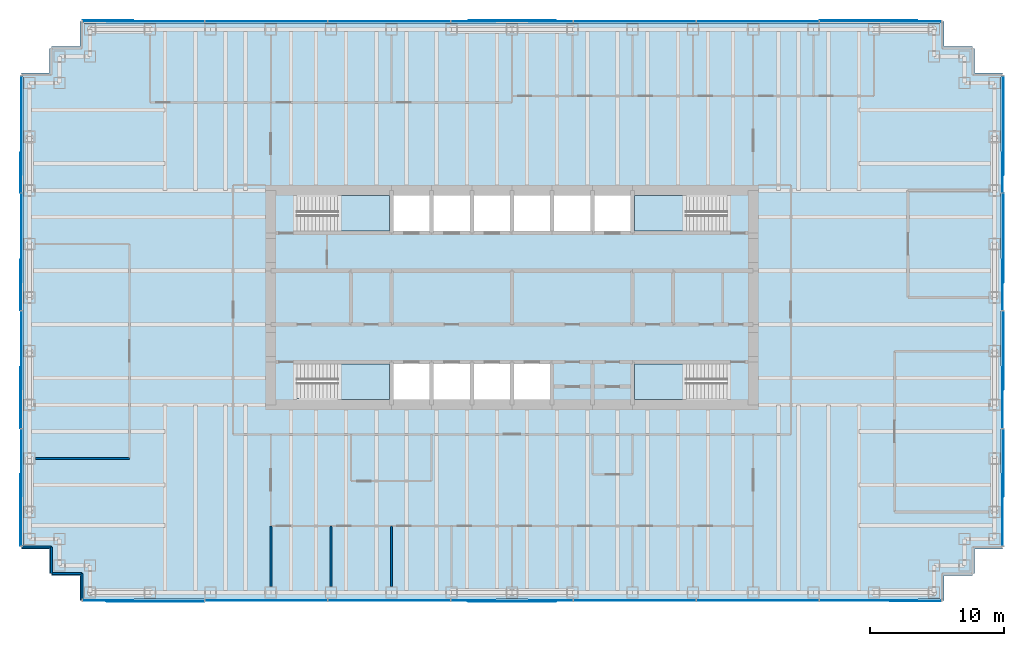
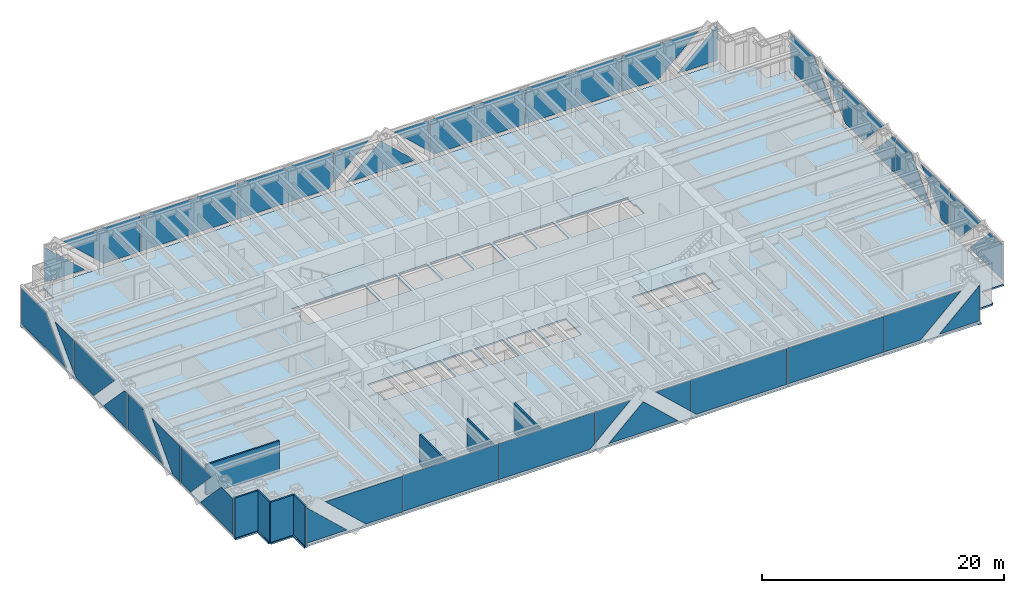
# One storey, part 9 of 14: 38 plates, 8 walls, 5 slabs, 8 elements without a shape of their own.
"""IFC4 building model written with IfcOpenShell, lengths in metres."""

from ifc_helpers import new_model, si_unit, direction, frame, frame_2d, origin, origin_2d, place, context, subcontext, project, spatial, polyline, rectangle, outline, extrude, material, layer, layer_set, type_object, element, aggregate, save


model = new_model("IFC4")

# Units and contexts
model_context = context("Model", 3, precision=1e-05, world=origin(), true_north=direction((0.0, 1.0)))
body_context = subcontext(model_context, "Body", "Model", "MODEL_VIEW")
ifc_project = project(units=[si_unit("LENGTHUNIT", "METRE"), si_unit("AREAUNIT", "SQUARE_METRE"), si_unit("VOLUMEUNIT", "CUBIC_METRE"), si_unit("PLANEANGLEUNIT", "RADIAN"), si_unit("MASSUNIT", "GRAM", prefix="KILO")], contexts=[model_context])

# Site, building, storey
site_placement = place(None, origin())
site = spatial("IfcSite", under=ifc_project, at=site_placement, CompositionType="ELEMENT")
building_placement = place(site_placement, origin())
building = spatial("IfcBuilding", under=site, at=building_placement, Name="Rheinbord Bourse Tower", CompositionType="ELEMENT")
storey_placement = place(building_placement, frame((0.0, 0.0, 211.0)))
storey = spatial("IfcBuildingStorey", under=building, at=storey_placement, Name="L47", CompositionType="ELEMENT", Elevation=211.0)

# Slab
ifc_material_1 = material(Name="Concrete C30/37", Category="concrete")
ifc_layer_1 = layer(ifc_material_1, 0.159912109375)
ifc_layer_set_1 = layer_set([ifc_layer_1], Name="COMPOSITE FLOOR SLAB 160")
slab_type_1 = type_object("IfcSlabType", Name="COMPOSITE FLOOR SLAB 160", PredefinedType="FLOOR", material=ifc_layer_set_1)
slab_1_placement = place(storey_placement, frame((0.0, 0.0, -0.159912109375)))
element("IfcSlab", 1, at=slab_1_placement, inside=storey, type_object=slab_type_1, Name="Floor slab L47", PredefinedType="FLOOR", context=body_context, shape_type="SweptSolid", body=[
    extrude(outline(polyline([(1.64990234375, 3.39990234375), (1.5, 3.39990234375), (1.5, 5.25), (-0.60009765625, 5.25), (-0.60009765625, 5.550048828125), (-0.5, 5.550048828125), (-0.5, 40.449951171875), (-0.60009765625, 40.449951171875), (-0.60009765625, 40.75), (1.5, 40.75), (1.5, 42.60009765625), (1.64990234375, 42.60009765625), (1.64990234375, 42.75), (3.75, 42.75), (3.75, 44.60009765625), (4.050048828125, 44.60009765625), (4.050048828125, 44.5), (67.949951171875, 44.5), (67.949951171875, 44.60009765625), (68.25, 44.60009765625), (68.25, 42.75), (70.35009765625, 42.75), (70.35009765625, 42.60009765625), (70.5, 42.60009765625), (70.5, 40.75), (72.60009765625, 40.75), (72.60009765625, 40.449951171875), (72.5, 40.449951171875), (72.5, 5.550048828125), (72.60009765625, 5.550048828125), (72.60009765625, 5.25), (70.5, 5.25), (70.5, 3.39990234375), (70.35009765625, 3.39990234375), (70.35009765625, 3.25), (68.25, 3.25), (68.25, 1.39990234375), (67.949951171875, 1.39990234375), (67.949951171875, 1.5), (4.050048828125, 1.5), (4.050048828125, 1.39990234375), (3.75, 1.39990234375), (3.75, 3.25), (1.64990234375, 3.25), (1.64990234375, 3.39990234375)]), holes=[polyline([(19.949951171875, 19.050048828125), (26.85009765625, 19.050048828125), (26.85009765625, 16.39990234375), (19.949951171875, 16.39990234375), (19.949951171875, 16.449951171875), (20.10009765625, 16.449951171875), (20.10009765625, 17.64990234375), (19.949951171875, 17.64990234375), (19.949951171875, 19.050048828125)]), polyline([(19.949951171875, 31.60009765625), (26.85009765625, 31.60009765625), (26.85009765625, 28.949951171875), (19.949951171875, 28.949951171875), (19.949951171875, 30.35009765625), (20.10009765625, 30.35009765625), (20.10009765625, 31.550048828125), (19.949951171875, 31.550048828125), (19.949951171875, 31.60009765625)]), polyline([(52.050048828125, 16.39990234375), (45.14990234375, 16.39990234375), (45.14990234375, 19.050048828125), (52.050048828125, 19.050048828125), (52.050048828125, 17.64990234375), (51.89990234375, 17.64990234375), (51.89990234375, 16.449951171875), (52.050048828125, 16.449951171875), (52.050048828125, 16.39990234375)]), polyline([(52.050048828125, 28.949951171875), (45.14990234375, 28.949951171875), (45.14990234375, 31.60009765625), (52.050048828125, 31.60009765625), (52.050048828125, 31.550048828125), (51.89990234375, 31.550048828125), (51.89990234375, 30.35009765625), (52.050048828125, 30.35009765625), (52.050048828125, 28.949951171875)]), polyline([(27.14990234375, 16.39990234375), (27.14990234375, 19.050048828125), (29.85009765625, 19.050048828125), (29.85009765625, 16.39990234375), (27.14990234375, 16.39990234375)]), polyline([(27.14990234375, 28.949951171875), (27.14990234375, 31.60009765625), (29.85009765625, 31.60009765625), (29.85009765625, 28.949951171875), (27.14990234375, 28.949951171875)]), polyline([(30.14990234375, 16.39990234375), (30.14990234375, 19.050048828125), (32.85009765625, 19.050048828125), (32.85009765625, 16.39990234375), (30.14990234375, 16.39990234375)]), polyline([(30.14990234375, 28.949951171875), (30.14990234375, 31.60009765625), (32.85009765625, 31.60009765625), (32.85009765625, 28.949951171875), (30.14990234375, 28.949951171875)]), polyline([(33.14990234375, 16.39990234375), (33.14990234375, 19.050048828125), (35.85009765625, 19.050048828125), (35.85009765625, 16.39990234375), (33.14990234375, 16.39990234375)]), polyline([(33.14990234375, 28.949951171875), (33.14990234375, 31.60009765625), (35.85009765625, 31.60009765625), (35.85009765625, 28.949951171875), (33.14990234375, 28.949951171875)]), polyline([(36.14990234375, 16.39990234375), (36.14990234375, 19.050048828125), (38.85009765625, 19.050048828125), (38.85009765625, 16.39990234375), (36.14990234375, 16.39990234375)]), polyline([(36.14990234375, 28.949951171875), (36.14990234375, 31.60009765625), (38.85009765625, 31.60009765625), (38.85009765625, 28.949951171875), (36.14990234375, 28.949951171875)]), polyline([(39.14990234375, 28.949951171875), (39.14990234375, 31.60009765625), (41.85009765625, 31.60009765625), (41.85009765625, 28.949951171875), (39.14990234375, 28.949951171875)]), polyline([(42.14990234375, 28.949951171875), (42.14990234375, 31.60009765625), (44.85009765625, 31.60009765625), (44.85009765625, 28.949951171875), (42.14990234375, 28.949951171875)])]), origin(), (0.0, 0.0, 1.0), 0.159912109375),
])

# Curtain wall, plates
ifc_material_2 = material(Name="Dark glass and black aluminium", Category="aluminium")
curtain_wall_type = type_object("IfcCurtainWallType", Name="CW2 DARK GLASS CURTAIN WALL", PredefinedType="USERDEFINED", material=ifc_material_2)
curtain_wall_1_placement = place(storey_placement, origin())
curtain_wall_1 = element("IfcCurtainWall", 2, at=curtain_wall_1_placement, inside=storey, type_object=curtain_wall_type, Name="Curtain wall CW2 S L47", ObjectType="UNITISED CURTAIN WALL", PredefinedType="USERDEFINED")
ifc_material_3 = material(Name="Dark tinted triple insulating glass", Category="glass")
ifc_layer_2 = layer(ifc_material_3, 0.050048828125)
ifc_layer_set_2 = layer_set([ifc_layer_2], Name="CW2 DARK GLASS PANEL")
plate_type = type_object("IfcPlateType", Name="CW2 DARK GLASS PANEL", PredefinedType="CURTAIN_PANEL", material=ifc_layer_set_2)
plate_1_placement = place(storey_placement, frame((17.6572265625, 1.39990234375, 0.300048828125), z_axis=(0.0, 0.0, 1.0), x_axis=(1.0, 0.0, 0.0)))
plate_1 = element("IfcPlate", 3, at=plate_1_placement, type_object=plate_type, Name="CW2 panel 2.1", PredefinedType="CURTAIN_PANEL", context=body_context, shape_type="SweptSolid", body=[
    extrude(rectangle(XDim=9.101318359375, YDim=0.050048828125, at=origin_2d()), origin(), (0.0, 0.0, 1.0), 3.60009765625),
])
plate_2_placement = place(storey_placement, frame((54.3427734375, 1.39990234375, 0.300048828125), z_axis=(0.0, 0.0, 1.0), x_axis=(1.0, 0.0, 0.0)))
plate_2 = element("IfcPlate", 4, at=plate_2_placement, type_object=plate_type, Name="CW2 panel 6.1", PredefinedType="CURTAIN_PANEL", context=body_context, shape_type="SweptSolid", body=[
    extrude(rectangle(XDim=9.101318359375, YDim=0.050048828125, at=origin_2d()), origin(), (0.0, 0.0, 1.0), 3.60009765625),
])
plate_3_placement = place(storey_placement, frame((3.969970703125, 1.375, 0.300048828125), z_axis=(0.0, 1.0, 0.0), x_axis=(0.0, 0.0, 1.0)))
plate_3 = element("IfcPlate", 5, at=plate_3_placement, type_object=plate_type, Name="CW2 glass facet 1", PredefinedType="CURTAIN_PANEL", context=body_context, shape_type="SweptSolid", body=[
    extrude(outline(polyline([(0.0, 0.0), (3.56689453125, 0.0), (0.0, 3.822021484375), (0.0, 0.0)])), origin(), (0.0, 0.0, 1.0), 0.050048828125),
])
plate_4_placement = place(storey_placement, frame((13.035888671875, 1.31982421875, 3.89990234375), z_axis=(0.0, 1.0, 0.0), x_axis=(0.0, 0.0, -1.0)))
plate_4 = element("IfcPlate", 6, at=plate_4_placement, type_object=plate_type, Name="CW2 glass facet 2", PredefinedType="CURTAIN_PANEL", context=body_context, shape_type="SweptSolid", body=[
    extrude(outline(polyline([(0.0, 0.0), (3.599853515625, 0.0), (3.599853515625, 3.470947265625), (0.0, 7.327880859375), (0.0, 0.0)])), origin(), (0.0, 0.0, 1.0), 0.050048828125),
])
plate_5_placement = place(storey_placement, frame((22.278076171875, 1.375, 0.300048828125), z_axis=(0.0, 1.0, 0.0), x_axis=(0.0, 0.0, 1.0)))
plate_5 = element("IfcPlate", 7, at=plate_5_placement, type_object=plate_type, Name="CW2 glass facet 1", PredefinedType="CURTAIN_PANEL", context=body_context, shape_type="SweptSolid", body=[
    extrude(outline(polyline([(0.0, 0.0), (3.599853515625, 0.0), (3.599853515625, 9.100830078125), (0.4150390625, 9.100830078125), (0.0, 8.656982421875), (0.0, 0.0)])), origin(), (0.0, 0.0, 1.0), 0.050048828125),
])
plate_6_placement = place(storey_placement, frame((31.448974609375, 1.375, 3.89990234375), z_axis=(0.0, 1.0, 0.0), x_axis=(1.0, 0.0, 0.0)))
plate_6 = element("IfcPlate", 8, at=plate_6_placement, type_object=plate_type, Name="CW2 glass facet 1", PredefinedType="CURTAIN_PANEL", context=body_context, shape_type="SweptSolid", body=[
    extrude(outline(polyline([(0.0, 0.0), (3.343017578125, 0.0), (0.0, 3.119873046875), (0.0, 0.0)])), origin(), (0.0, 0.0, 1.0), 0.050048828125),
])
plate_7_placement = place(storey_placement, frame((32.7080078125, 1.31982421875, 0.300048828125), z_axis=(0.0, 1.0, 0.0), x_axis=(0.731111160705, 0.0, 0.682258360661)))
plate_7 = element("IfcPlate", 9, at=plate_7_placement, type_object=plate_type, Name="CW2 glass facet 2", PredefinedType="CURTAIN_PANEL", context=body_context, shape_type="SweptSolid", body=[
    extrude(outline(polyline([(0.0, 0.0), (4.502685546875, 0.0), (4.813720703125, 4.491943359375), (0.0, 0.0)])), origin(), (0.0, 0.0, 1.0), 0.050048828125),
])
plate_8_placement = place(storey_placement, frame((40.551025390625, 1.375, 3.89990234375), z_axis=(0.0, 1.0, 0.0), x_axis=(0.0, 0.0, -1.0)))
plate_8 = element("IfcPlate", 10, at=plate_8_placement, type_object=plate_type, Name="CW2 glass facet 3", PredefinedType="CURTAIN_PANEL", context=body_context, shape_type="SweptSolid", body=[
    extrude(outline(polyline([(0.0, 0.0), (3.119873046875, 0.0), (0.0, 3.343017578125), (0.0, 0.0)])), origin(), (0.0, 0.0, 1.0), 0.050048828125),
])
plate_9_placement = place(storey_placement, frame((40.62109375, 1.375, 3.89990234375), z_axis=(0.0, 1.0, 0.0), x_axis=(1.0, 0.0, 0.0)))
plate_9 = element("IfcPlate", 11, at=plate_9_placement, type_object=plate_type, Name="CW2 glass facet 1", PredefinedType="CURTAIN_PANEL", context=body_context, shape_type="SweptSolid", body=[
    extrude(outline(polyline([(0.0, 0.0), (9.100830078125, 0.0), (9.100830078125, 3.599853515625), (0.44384765625, 3.599853515625), (0.0, 3.184814453125), (0.0, 0.0)])), origin(), (0.0, 0.0, 1.0), 0.050048828125),
])
plate_10_placement = place(storey_placement, frame((58.964111328125, 1.375, 0.300048828125), z_axis=(0.0, 1.0, 0.0), x_axis=(0.0, 0.0, 1.0)))
plate_10 = element("IfcPlate", 12, at=plate_10_placement, type_object=plate_type, Name="CW2 glass facet 1", PredefinedType="CURTAIN_PANEL", context=body_context, shape_type="SweptSolid", body=[
    extrude(outline(polyline([(0.0, 0.0), (3.599853515625, 0.0), (3.599853515625, 7.327880859375), (0.0, 3.470947265625), (0.0, 0.0)])), origin(), (0.0, 0.0, 1.0), 0.050048828125),
])
plate_11_placement = place(storey_placement, frame((68.030029296875, 1.31982421875, 0.300048828125), z_axis=(0.0, 1.0, 0.0), x_axis=(-1.0, 0.0, 0.0)))
plate_11 = element("IfcPlate", 13, at=plate_11_placement, type_object=plate_type, Name="CW2 glass facet 2", PredefinedType="CURTAIN_PANEL", context=body_context, shape_type="SweptSolid", body=[
    extrude(outline(polyline([(0.0, 0.0), (3.822021484375, 0.0), (0.0, 3.56689453125), (0.0, 0.0)])), origin(), (0.0, 0.0, 1.0), 0.050048828125),
])
aggregate(curtain_wall_1, [plate_1, plate_2, plate_3, plate_4, plate_5, plate_6, plate_7, plate_8, plate_9, plate_10, plate_11])

curtain_wall_2_placement = place(storey_placement, origin())
curtain_wall_2 = element("IfcCurtainWall", 14, at=curtain_wall_2_placement, inside=storey, type_object=curtain_wall_type, Name="Curtain wall CW2 E L47", ObjectType="UNITISED CURTAIN WALL", PredefinedType="USERDEFINED")
plate_12_placement = place(storey_placement, frame((72.625, 5.469970703125, 0.300048828125), z_axis=(-1.0, 0.0, 0.0), x_axis=(0.0, 0.0, 1.0)))
plate_12 = element("IfcPlate", 15, at=plate_12_placement, type_object=plate_type, Name="CW2 glass facet 1", PredefinedType="CURTAIN_PANEL", context=body_context, shape_type="SweptSolid", body=[
    extrude(outline(polyline([(0.0, 0.0), (3.599853515625, 0.0), (3.599853515625, 1.97998046875), (0.0, 5.408935546875), (0.0, 0.0)])), origin(), (0.0, 0.0, 1.0), 0.050048828125),
])
plate_13_placement = place(storey_placement, frame((72.68017578125, 14.1650390625, 3.89990234375), z_axis=(-1.0, 0.0, 0.0), x_axis=(0.0, 0.0, -1.0)))
plate_13 = element("IfcPlate", 16, at=plate_13_placement, type_object=plate_type, Name="CW2 glass facet 2", PredefinedType="CURTAIN_PANEL", context=body_context, shape_type="SweptSolid", body=[
    extrude(outline(polyline([(0.0, 0.0), (3.599853515625, 0.0), (3.599853515625, 1.614990234375), (0.0, 5.0439453125), (0.0, 0.0)])), origin(), (0.0, 0.0, 1.0), 0.050048828125),
])
plate_14_placement = place(storey_placement, frame((72.625, 14.235107421875, 0.300048828125), z_axis=(-1.0, 0.0, 0.0), x_axis=(0.0, 0.0, 1.0)))
plate_14 = element("IfcPlate", 17, at=plate_14_placement, type_object=plate_type, Name="CW2 glass facet 1", PredefinedType="CURTAIN_PANEL", context=body_context, shape_type="SweptSolid", body=[
    extrude(outline(polyline([(0.0, 0.0), (3.599853515625, 0.0), (3.599853515625, 4.643798828125), (0.0, 1.21484375), (0.0, 0.0)])), origin(), (0.0, 0.0, 1.0), 0.050048828125),
])
plate_15_placement = place(storey_placement, frame((72.68017578125, 22.965087890625, 3.89990234375), z_axis=(-1.0, 0.0, 0.0), x_axis=(0.0, 0.0, -1.0)))
plate_15 = element("IfcPlate", 18, at=plate_15_placement, type_object=plate_type, Name="CW2 glass facet 2", PredefinedType="CURTAIN_PANEL", context=body_context, shape_type="SweptSolid", body=[
    extrude(outline(polyline([(0.0, 0.0), (3.599853515625, 0.0), (3.599853515625, 5.843994140625), (0.0, 2.4150390625), (0.0, 0.0)])), origin(), (0.0, 0.0, 1.0), 0.050048828125),
])
plate_16_placement = place(storey_placement, frame((72.625, 23.034912109375, 0.300048828125), z_axis=(-1.0, 0.0, 0.0), x_axis=(0.0, 0.0, 1.0)))
plate_16 = element("IfcPlate", 19, at=plate_16_placement, type_object=plate_type, Name="CW2 glass facet 1", PredefinedType="CURTAIN_PANEL", context=body_context, shape_type="SweptSolid", body=[
    extrude(outline(polyline([(0.0, 0.0), (3.599853515625, 0.0), (3.599853515625, 0.4150390625), (0.0, 3.843994140625), (0.0, 0.0)])), origin(), (0.0, 0.0, 1.0), 0.050048828125),
])
plate_17_placement = place(storey_placement, frame((72.68017578125, 28.550048828125, 0.300048828125), z_axis=(-1.0, 0.0, 0.0), x_axis=(0.0, -0.689710350299, 0.724085376658)))
plate_17 = element("IfcPlate", 20, at=plate_17_placement, type_object=plate_type, Name="CW2 glass facet 2", PredefinedType="CURTAIN_PANEL", context=body_context, shape_type="SweptSolid", body=[
    extrude(outline(polyline([(0.0, 0.0), (4.9716796875, 0.0), (0.389404296875, 4.810791015625), (-1.9775390625, 2.55615234375), (-2.0, 2.099853515625), (0.0, 0.0)])), origin(), (0.0, 0.0, 1.0), 0.050048828125),
])
plate_18_placement = place(storey_placement, frame((72.625, 31.8349609375, 3.89990234375), z_axis=(-1.0, 0.0, 0.0), x_axis=(0.0, 1.0, 0.0)))
plate_18 = element("IfcPlate", 21, at=plate_18_placement, type_object=plate_type, Name="CW2 glass facet 1", PredefinedType="CURTAIN_PANEL", context=body_context, shape_type="SweptSolid", body=[
    extrude(outline(polyline([(0.0, 0.0), (3.0439453125, 0.0), (0.0, 3.19580078125), (0.0, 0.0)])), origin(), (0.0, 0.0, 1.0), 0.050048828125),
])
plate_19_placement = place(storey_placement, frame((72.68017578125, 40.530029296875, 3.89990234375), z_axis=(-1.0, 0.0, 0.0), x_axis=(0.0, 0.0, -1.0)))
plate_19 = element("IfcPlate", 22, at=plate_19_placement, type_object=plate_type, Name="CW2 glass facet 2", PredefinedType="CURTAIN_PANEL", context=body_context, shape_type="SweptSolid", body=[
    extrude(outline(polyline([(0.0, 0.0), (3.599853515625, 0.0), (3.599853515625, 7.408935546875), (0.0, 3.97998046875), (0.0, 0.0)])), origin(), (0.0, 0.0, 1.0), 0.050048828125),
])
aggregate(curtain_wall_2, [plate_12, plate_13, plate_14, plate_15, plate_16, plate_17, plate_18, plate_19])

curtain_wall_3_placement = place(storey_placement, origin())
curtain_wall_3 = element("IfcCurtainWall", 23, at=curtain_wall_3_placement, inside=storey, type_object=curtain_wall_type, Name="Curtain wall CW2 N L47", ObjectType="UNITISED CURTAIN WALL", PredefinedType="USERDEFINED")
plate_20_placement = place(storey_placement, frame((54.3427734375, 44.60009765625, 0.300048828125), z_axis=(0.0, 0.0, 1.0), x_axis=(-1.0, 0.0, 0.0)))
plate_20 = element("IfcPlate", 24, at=plate_20_placement, type_object=plate_type, Name="CW2 panel 2.1", PredefinedType="CURTAIN_PANEL", context=body_context, shape_type="SweptSolid", body=[
    extrude(rectangle(XDim=9.101318359375, YDim=0.050048828125, at=origin_2d()), origin(), (0.0, 0.0, 1.0), 3.60009765625),
])
plate_21_placement = place(storey_placement, frame((17.6572265625, 44.60009765625, 0.300048828125), z_axis=(0.0, 0.0, 1.0), x_axis=(-1.0, 0.0, 0.0)))
plate_21 = element("IfcPlate", 25, at=plate_21_placement, type_object=plate_type, Name="CW2 panel 6.1", PredefinedType="CURTAIN_PANEL", context=body_context, shape_type="SweptSolid", body=[
    extrude(rectangle(XDim=9.101318359375, YDim=0.050048828125, at=origin_2d()), origin(), (0.0, 0.0, 1.0), 3.60009765625),
])
plate_22_placement = place(storey_placement, frame((68.030029296875, 44.625, 0.300048828125), z_axis=(0.0, -1.0, 0.0), x_axis=(0.0, 0.0, 1.0)))
plate_22 = element("IfcPlate", 26, at=plate_22_placement, type_object=plate_type, Name="CW2 glass facet 1", PredefinedType="CURTAIN_PANEL", context=body_context, shape_type="SweptSolid", body=[
    extrude(outline(polyline([(0.0, 0.0), (3.56689453125, 0.0), (0.0, 3.822021484375), (0.0, 0.0)])), origin(), (0.0, 0.0, 1.0), 0.050048828125),
])
plate_23_placement = place(storey_placement, frame((58.964111328125, 44.68017578125, 3.89990234375), z_axis=(0.0, -1.0, 0.0), x_axis=(0.0, 0.0, -1.0)))
plate_23 = element("IfcPlate", 27, at=plate_23_placement, type_object=plate_type, Name="CW2 glass facet 2", PredefinedType="CURTAIN_PANEL", context=body_context, shape_type="SweptSolid", body=[
    extrude(outline(polyline([(0.0, 0.0), (3.599853515625, 0.0), (3.599853515625, 3.470947265625), (0.0, 7.327880859375), (0.0, 0.0)])), origin(), (0.0, 0.0, 1.0), 0.050048828125),
])
plate_24_placement = place(storey_placement, frame((49.721923828125, 44.625, 0.300048828125), z_axis=(0.0, -1.0, 0.0), x_axis=(0.0, 0.0, 1.0)))
plate_24 = element("IfcPlate", 28, at=plate_24_placement, type_object=plate_type, Name="CW2 glass facet 1", PredefinedType="CURTAIN_PANEL", context=body_context, shape_type="SweptSolid", body=[
    extrude(outline(polyline([(0.0, 0.0), (3.599853515625, 0.0), (3.599853515625, 9.100830078125), (0.4150390625, 9.100830078125), (0.0, 8.656982421875), (0.0, 0.0)])), origin(), (0.0, 0.0, 1.0), 0.050048828125),
])
plate_25_placement = place(storey_placement, frame((40.551025390625, 44.625, 3.89990234375), z_axis=(0.0, -1.0, 0.0), x_axis=(-1.0, 0.0, 0.0)))
plate_25 = element("IfcPlate", 29, at=plate_25_placement, type_object=plate_type, Name="CW2 glass facet 1", PredefinedType="CURTAIN_PANEL", context=body_context, shape_type="SweptSolid", body=[
    extrude(outline(polyline([(0.0, 0.0), (3.343017578125, 0.0), (0.0, 3.119873046875), (0.0, 0.0)])), origin(), (0.0, 0.0, 1.0), 0.050048828125),
])
plate_26_placement = place(storey_placement, frame((39.2919921875, 44.68017578125, 0.300048828125), z_axis=(0.0, -1.0, 0.0), x_axis=(-0.731111160705, 0.0, 0.682258360661)))
plate_26 = element("IfcPlate", 30, at=plate_26_placement, type_object=plate_type, Name="CW2 glass facet 2", PredefinedType="CURTAIN_PANEL", context=body_context, shape_type="SweptSolid", body=[
    extrude(outline(polyline([(0.0, 0.0), (4.502685546875, 0.0), (4.813720703125, 4.491943359375), (0.0, 0.0)])), origin(), (0.0, 0.0, 1.0), 0.050048828125),
])
plate_27_placement = place(storey_placement, frame((31.448974609375, 44.625, 3.89990234375), z_axis=(0.0, -1.0, 0.0), x_axis=(0.0, 0.0, -1.0)))
plate_27 = element("IfcPlate", 31, at=plate_27_placement, type_object=plate_type, Name="CW2 glass facet 3", PredefinedType="CURTAIN_PANEL", context=body_context, shape_type="SweptSolid", body=[
    extrude(outline(polyline([(0.0, 0.0), (3.119873046875, 0.0), (0.0, 3.343017578125), (0.0, 0.0)])), origin(), (0.0, 0.0, 1.0), 0.050048828125),
])
plate_28_placement = place(storey_placement, frame((31.37890625, 44.625, 3.89990234375), z_axis=(0.0, -1.0, 0.0), x_axis=(-1.0, 0.0, 0.0)))
plate_28 = element("IfcPlate", 32, at=plate_28_placement, type_object=plate_type, Name="CW2 glass facet 1", PredefinedType="CURTAIN_PANEL", context=body_context, shape_type="SweptSolid", body=[
    extrude(outline(polyline([(0.0, 0.0), (9.100830078125, 0.0), (9.100830078125, 3.599853515625), (0.44384765625, 3.599853515625), (0.0, 3.184814453125), (0.0, 0.0)])), origin(), (0.0, 0.0, 1.0), 0.050048828125),
])
plate_29_placement = place(storey_placement, frame((13.035888671875, 44.625, 0.300048828125), z_axis=(0.0, -1.0, 0.0), x_axis=(0.0, 0.0, 1.0)))
plate_29 = element("IfcPlate", 33, at=plate_29_placement, type_object=plate_type, Name="CW2 glass facet 1", PredefinedType="CURTAIN_PANEL", context=body_context, shape_type="SweptSolid", body=[
    extrude(outline(polyline([(0.0, 0.0), (3.599853515625, 0.0), (3.599853515625, 7.327880859375), (0.0, 3.470947265625), (0.0, 0.0)])), origin(), (0.0, 0.0, 1.0), 0.050048828125),
])
plate_30_placement = place(storey_placement, frame((3.969970703125, 44.68017578125, 0.300048828125), z_axis=(0.0, -1.0, 0.0), x_axis=(1.0, 0.0, 0.0)))
plate_30 = element("IfcPlate", 34, at=plate_30_placement, type_object=plate_type, Name="CW2 glass facet 2", PredefinedType="CURTAIN_PANEL", context=body_context, shape_type="SweptSolid", body=[
    extrude(outline(polyline([(0.0, 0.0), (3.822021484375, 0.0), (0.0, 3.56689453125), (0.0, 0.0)])), origin(), (0.0, 0.0, 1.0), 0.050048828125),
])
aggregate(curtain_wall_3, [plate_20, plate_21, plate_22, plate_23, plate_24, plate_25, plate_26, plate_27, plate_28, plate_29, plate_30])

curtain_wall_4_placement = place(storey_placement, origin())
curtain_wall_4 = element("IfcCurtainWall", 35, at=curtain_wall_4_placement, inside=storey, type_object=curtain_wall_type, Name="Curtain wall CW2 W L47", ObjectType="UNITISED CURTAIN WALL", PredefinedType="USERDEFINED")
plate_31_placement = place(storey_placement, frame((-0.625, 40.530029296875, 0.300048828125), z_axis=(1.0, 0.0, 0.0), x_axis=(0.0, 0.0, 1.0)))
plate_31 = element("IfcPlate", 36, at=plate_31_placement, type_object=plate_type, Name="CW2 glass facet 1", PredefinedType="CURTAIN_PANEL", context=body_context, shape_type="SweptSolid", body=[
    extrude(outline(polyline([(0.0, 0.0), (3.599853515625, 0.0), (3.599853515625, 3.97998046875), (0.0, 7.408935546875), (0.0, 0.0)])), origin(), (0.0, 0.0, 1.0), 0.050048828125),
])
plate_32_placement = place(storey_placement, frame((-0.68017578125, 31.8349609375, 3.89990234375), z_axis=(1.0, 0.0, 0.0), x_axis=(0.0, 0.0, -1.0)))
plate_32 = element("IfcPlate", 37, at=plate_32_placement, type_object=plate_type, Name="CW2 glass facet 2", PredefinedType="CURTAIN_PANEL", context=body_context, shape_type="SweptSolid", body=[
    extrude(outline(polyline([(0.0, 0.0), (3.19580078125, 0.0), (0.0, 3.0439453125), (0.0, 0.0)])), origin(), (0.0, 0.0, 1.0), 0.050048828125),
])
plate_33_placement = place(storey_placement, frame((-0.625, 31.449951171875, 0.300048828125), z_axis=(1.0, 0.0, 0.0), x_axis=(0.0, 0.689254814014, 0.724519013801)))
plate_33 = element("IfcPlate", 38, at=plate_33_placement, type_object=plate_type, Name="CW2 glass facet 1", PredefinedType="CURTAIN_PANEL", context=body_context, shape_type="SweptSolid", body=[
    extrude(outline(polyline([(0.0, 0.0), (0.45703125, 0.0), (2.8251953125, 2.2529296875), (-1.754150390625, 7.066650390625), (-1.998779296875, 2.10107421875), (0.0, 0.0)])), origin(), (0.0, 0.0, 1.0), 0.050048828125),
])
plate_34_placement = place(storey_placement, frame((-0.68017578125, 23.034912109375, 3.89990234375), z_axis=(1.0, 0.0, 0.0), x_axis=(0.0, 0.0, -1.0)))
plate_34 = element("IfcPlate", 39, at=plate_34_placement, type_object=plate_type, Name="CW2 glass facet 2", PredefinedType="CURTAIN_PANEL", context=body_context, shape_type="SweptSolid", body=[
    extrude(outline(polyline([(0.0, 0.0), (3.599853515625, 0.0), (3.599853515625, 3.843994140625), (0.0, 0.4150390625), (0.0, 0.0)])), origin(), (0.0, 0.0, 1.0), 0.050048828125),
])
plate_35_placement = place(storey_placement, frame((-0.625, 22.965087890625, 0.300048828125), z_axis=(1.0, 0.0, 0.0), x_axis=(0.0, 0.0, 1.0)))
plate_35 = element("IfcPlate", 40, at=plate_35_placement, type_object=plate_type, Name="CW2 glass facet 1", PredefinedType="CURTAIN_PANEL", context=body_context, shape_type="SweptSolid", body=[
    extrude(outline(polyline([(0.0, 0.0), (3.599853515625, 0.0), (3.599853515625, 2.4150390625), (0.0, 5.843994140625), (0.0, 0.0)])), origin(), (0.0, 0.0, 1.0), 0.050048828125),
])
plate_36_placement = place(storey_placement, frame((-0.68017578125, 14.235107421875, 3.89990234375), z_axis=(1.0, 0.0, 0.0), x_axis=(0.0, 0.0, -1.0)))
plate_36 = element("IfcPlate", 41, at=plate_36_placement, type_object=plate_type, Name="CW2 glass facet 2", PredefinedType="CURTAIN_PANEL", context=body_context, shape_type="SweptSolid", body=[
    extrude(outline(polyline([(0.0, 0.0), (3.599853515625, 0.0), (3.599853515625, 1.21484375), (0.0, 4.643798828125), (0.0, 0.0)])), origin(), (0.0, 0.0, 1.0), 0.050048828125),
])
plate_37_placement = place(storey_placement, frame((-0.625, 14.1650390625, 0.300048828125), z_axis=(1.0, 0.0, 0.0), x_axis=(0.0, 0.0, 1.0)))
plate_37 = element("IfcPlate", 42, at=plate_37_placement, type_object=plate_type, Name="CW2 glass facet 1", PredefinedType="CURTAIN_PANEL", context=body_context, shape_type="SweptSolid", body=[
    extrude(outline(polyline([(0.0, 0.0), (3.599853515625, 0.0), (3.599853515625, 5.0439453125), (0.0, 1.614990234375), (0.0, 0.0)])), origin(), (0.0, 0.0, 1.0), 0.050048828125),
])
plate_38_placement = place(storey_placement, frame((-0.68017578125, 5.469970703125, 3.89990234375), z_axis=(1.0, 0.0, 0.0), x_axis=(0.0, 0.0, -1.0)))
plate_38 = element("IfcPlate", 43, at=plate_38_placement, type_object=plate_type, Name="CW2 glass facet 2", PredefinedType="CURTAIN_PANEL", context=body_context, shape_type="SweptSolid", body=[
    extrude(outline(polyline([(0.0, 0.0), (3.599853515625, 0.0), (3.599853515625, 5.408935546875), (0.0, 1.97998046875), (0.0, 0.0)])), origin(), (0.0, 0.0, 1.0), 0.050048828125),
])
aggregate(curtain_wall_4, [plate_31, plate_32, plate_33, plate_34, plate_35, plate_36, plate_37, plate_38])

# Stair, slab
ifc_material_4 = material(Name="Concrete C30/37", Category="concrete")
stair_type = type_object("IfcStairType", Name="CORE STAIR HALF TURN 4200", PredefinedType="HALF_TURN_STAIR", material=ifc_material_4)
stair_1_placement = place(storey_placement, origin())
stair_1 = element("IfcStair", 44, at=stair_1_placement, inside=storey, type_object=stair_type, Name="Stair ST1 L47, type CS6", PredefinedType="HALF_TURN_STAIR")
ifc_material_5 = material(Name="Concrete C30/37", Category="concrete")
ifc_layer_3 = layer(ifc_material_5, 0.199951171875)
ifc_layer_set_3 = layer_set([ifc_layer_3], Name="STAIR LANDING 200")
slab_type_2 = type_object("IfcSlabType", Name="STAIR LANDING 200", PredefinedType="LANDING", material=ifc_layer_set_3)
slab_2_placement = place(storey_placement, frame((0.0, 0.0, 1.89990234375)))
slab_2 = element("IfcSlab", 45, at=slab_2_placement, type_object=slab_type_2, Name="Half landing ST1 L47", PredefinedType="LANDING", context=body_context, shape_type="SweptSolid", body=[
    extrude(outline(polyline([(23.030029296875, 16.39990234375), (26.85009765625, 16.39990234375), (26.85009765625, 19.050048828125), (21.748046875, 19.050048828125), (21.748046875, 17.85009765625), (23.030029296875, 17.85009765625), (23.030029296875, 16.39990234375)])), origin(), (0.0, 0.0, 1.0), 0.2001953125),
])
aggregate(stair_1, [slab_2])

stair_2_placement = place(storey_placement, origin())
stair_2 = element("IfcStair", 46, at=stair_2_placement, inside=storey, type_object=stair_type, Name="Stair ST2 L47, type CS6", PredefinedType="HALF_TURN_STAIR")
slab_3_placement = place(storey_placement, frame((0.0, 0.0, 1.89990234375)))
slab_3 = element("IfcSlab", 47, at=slab_3_placement, type_object=slab_type_2, Name="Half landing ST2 L47", PredefinedType="LANDING", context=body_context, shape_type="SweptSolid", body=[
    extrude(outline(polyline([(21.748046875, 28.949951171875), (26.85009765625, 28.949951171875), (26.85009765625, 31.60009765625), (23.030029296875, 31.60009765625), (23.030029296875, 30.14990234375), (21.748046875, 30.14990234375), (21.748046875, 28.949951171875)])), origin(), (0.0, 0.0, 1.0), 0.2001953125),
])
aggregate(stair_2, [slab_3])

stair_3_placement = place(storey_placement, origin())
stair_3 = element("IfcStair", 48, at=stair_3_placement, inside=storey, type_object=stair_type, Name="Stair ST3 L47, type CS6", PredefinedType="HALF_TURN_STAIR")
slab_4_placement = place(storey_placement, frame((0.0, 0.0, 1.89990234375)))
slab_4 = element("IfcSlab", 49, at=slab_4_placement, type_object=slab_type_2, Name="Half landing ST3 L47", PredefinedType="LANDING", context=body_context, shape_type="SweptSolid", body=[
    extrude(outline(polyline([(45.14990234375, 16.39990234375), (48.969970703125, 16.39990234375), (48.969970703125, 17.85009765625), (50.251953125, 17.85009765625), (50.251953125, 19.050048828125), (45.14990234375, 19.050048828125), (45.14990234375, 16.39990234375)])), origin(), (0.0, 0.0, 1.0), 0.2001953125),
])
aggregate(stair_3, [slab_4])

stair_4_placement = place(storey_placement, origin())
stair_4 = element("IfcStair", 50, at=stair_4_placement, inside=storey, type_object=stair_type, Name="Stair ST4 L47, type CS6", PredefinedType="HALF_TURN_STAIR")
slab_5_placement = place(storey_placement, frame((0.0, 0.0, 1.89990234375)))
slab_5 = element("IfcSlab", 51, at=slab_5_placement, type_object=slab_type_2, Name="Half landing ST4 L47", PredefinedType="LANDING", context=body_context, shape_type="SweptSolid", body=[
    extrude(outline(polyline([(45.14990234375, 28.949951171875), (50.251953125, 28.949951171875), (50.251953125, 30.14990234375), (48.969970703125, 30.14990234375), (48.969970703125, 31.60009765625), (45.14990234375, 31.60009765625), (45.14990234375, 28.949951171875)])), origin(), (0.0, 0.0, 1.0), 0.2001953125),
])
aggregate(stair_4, [slab_5])

# Walls
ifc_material_6 = material(Name="Black metal rainscreen panel", Category="aluminium")
ifc_layer_4 = layer(ifc_material_6, 0.14990234375)
ifc_layer_set_4 = layer_set([ifc_layer_4], Name="CORNER PIER CLADDING 150")
wall_type_1 = type_object("IfcWallType", Name="CORNER PIER CLADDING 150", PredefinedType="ELEMENTEDWALL", material=ifc_layer_set_4)
wall_1_placement = place(storey_placement, frame((-0.60009765625, 5.39990234375, 0.0), z_axis=(0.0, 0.0, 1.0), x_axis=(1.0, 0.0, 0.0)))
element("IfcWall", 52, at=wall_1_placement, inside=storey, type_object=wall_type_1, Name="Corner pier cladding L47 17", PredefinedType="ELEMENTEDWALL", context=body_context, shape_type="SweptSolid", body=[
    extrude(rectangle(XDim=2.25, YDim=0.14990234375, at=frame_2d((1.125, 0.0))), origin(), (0.0, 0.0, 1.0), 4.0400390625),
])
wall_2_placement = place(storey_placement, frame((1.64990234375, 5.39990234375, 0.0), z_axis=(0.0, 0.0, 1.0), x_axis=(0.0, -1.0, 0.0)))
element("IfcWall", 53, at=wall_2_placement, inside=storey, type_object=wall_type_1, Name="Corner pier cladding L47 18", PredefinedType="ELEMENTEDWALL", context=body_context, shape_type="SweptSolid", body=[
    extrude(rectangle(XDim=2.0, YDim=0.14990234375, at=frame_2d((1.0, 0.0))), origin(), (0.0, 0.0, 1.0), 4.0400390625),
])
wall_3_placement = place(storey_placement, frame((1.64990234375, 3.39990234375, 0.0), z_axis=(0.0, 0.0, 1.0), x_axis=(1.0, 0.0, 0.0)))
element("IfcWall", 54, at=wall_3_placement, inside=storey, type_object=wall_type_1, Name="Corner pier cladding L47 19", PredefinedType="ELEMENTEDWALL", context=body_context, shape_type="SweptSolid", body=[
    extrude(rectangle(XDim=2.25, YDim=0.14990234375, at=frame_2d((1.125, 0.0))), origin(), (0.0, 0.0, 1.0), 4.0400390625),
])
wall_4_placement = place(storey_placement, frame((3.89990234375, 3.39990234375, 0.0), z_axis=(0.0, 0.0, 1.0), x_axis=(0.0, -1.0, 0.0)))
element("IfcWall", 55, at=wall_4_placement, inside=storey, type_object=wall_type_1, Name="Corner pier cladding L47 20", PredefinedType="ELEMENTEDWALL", context=body_context, shape_type="SweptSolid", body=[
    extrude(rectangle(XDim=2.0, YDim=0.14990234375, at=frame_2d((1.0, 0.0))), origin(), (0.0, 0.0, 1.0), 4.0400390625),
])
ifc_material_7 = material(Name="Gypsum board partition", Category="gypsum board")
ifc_layer_5 = layer(ifc_material_7, 0.14990234375)
ifc_layer_set_5 = layer_set([ifc_layer_5], Name="PARTITION 150")
wall_type_2 = type_object("IfcWallType", Name="PARTITION 150", PredefinedType="PARTITIONING", material=ifc_layer_set_5)
wall_5_placement = place(storey_placement, frame((0.449951171875, 12.0, 0.0), z_axis=(0.0, 0.0, 1.0), x_axis=(1.0, 0.0, 0.0)))
element("IfcWall", 56, at=wall_5_placement, inside=storey, type_object=wall_type_2, Name="Partition L47-05", PredefinedType="PARTITIONING", context=body_context, shape_type="SweptSolid", body=[
    extrude(rectangle(XDim=7.0, YDim=0.14990234375, at=frame_2d((3.5, 0.0))), origin(), (0.0, 0.0, 1.0), 3.0),
])
for number, where, z_axis, x_axis, name in (
    (57, (18.0, 2.449951171875, 0.0), (0.0, 0.0, 1.0), (0.0, 1.0, 0.0), "Partition L47-20"),
    (58, (22.5, 2.449951171875, 0.0), (0.0, 0.0, 1.0), (0.0, 1.0, 0.0), "Partition L47-24"),
    (59, (27.0, 2.449951171875, 0.0), (0.0, 0.0, 1.0), (0.0, 1.0, 0.0), "Partition L47-26"),
):
    element("IfcWall", number, at=place(storey_placement, frame(where, z_axis=z_axis, x_axis=x_axis)), inside=storey, type_object=wall_type_2, Name=name, PredefinedType="PARTITIONING", context=body_context, shape_type="SweptSolid", body=[
        extrude(rectangle(XDim=4.5, YDim=0.14990234375, at=frame_2d((2.25, 0.0))), origin(), (0.0, 0.0, 1.0), 3.0),
    ])

save(model, "model.ifc")
